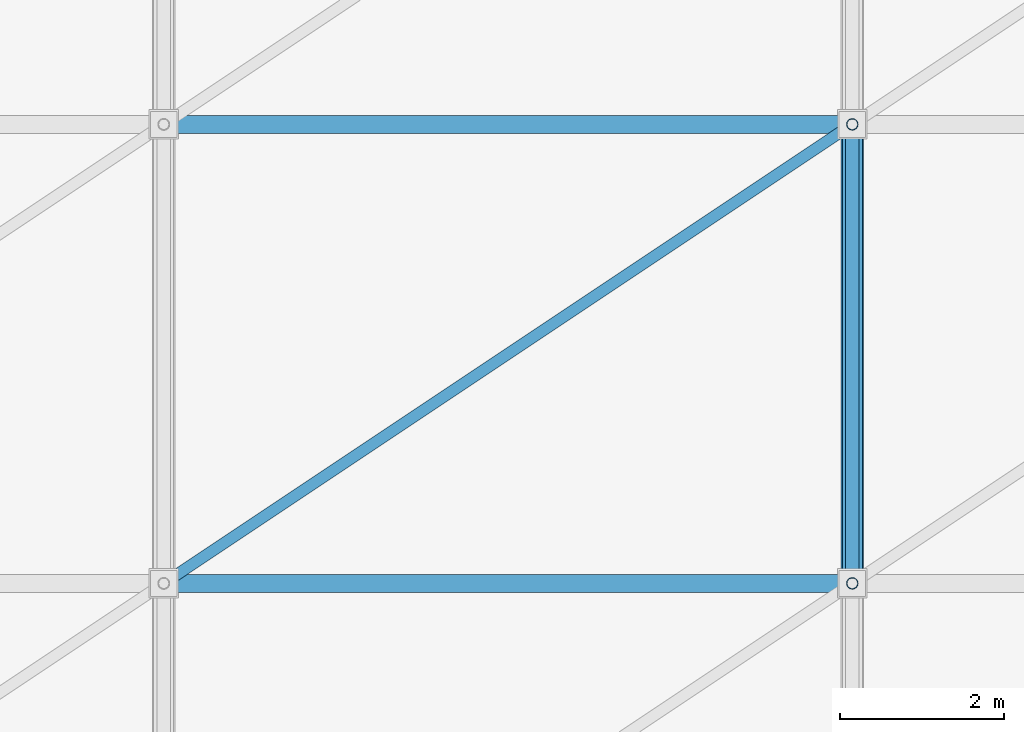
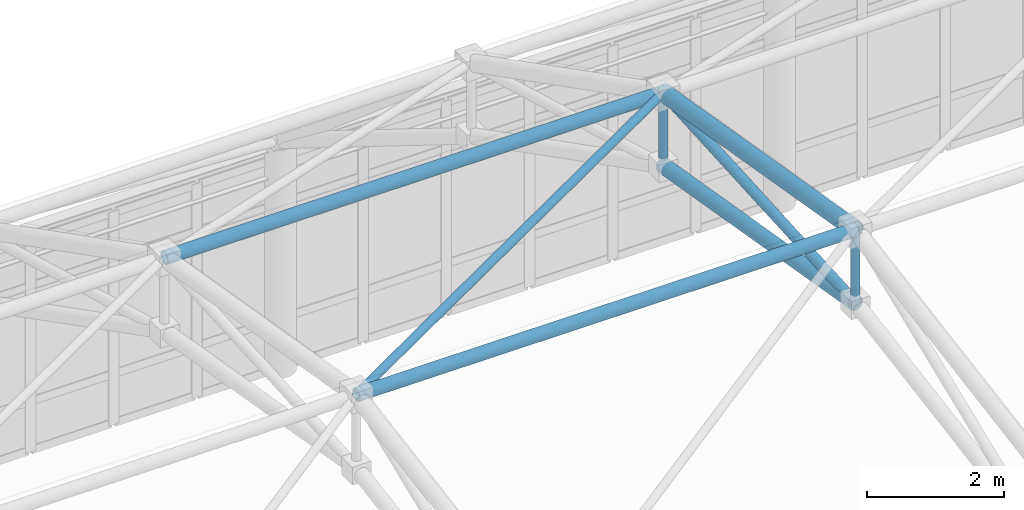
# One storey, part 76 of 184: 8 members.
"""IFC4 building model written with IfcOpenShell, lengths in metres."""

from ifc_helpers import new_model, si_unit, direction, frame, origin, origin_2d, place, context, subcontext, project, spatial, hollow_circle, extrude, material, material_profile, profile_set, type_object, element, save


model = new_model("IFC4")

# Units and contexts
model_context = context("Model", 3, precision=1e-05, world=origin(), true_north=direction((0.0, 1.0)))
body_context = subcontext(model_context, "Body", "Model", "MODEL_VIEW")
ifc_project = project(units=[si_unit("LENGTHUNIT", "METRE"), si_unit("AREAUNIT", "SQUARE_METRE"), si_unit("VOLUMEUNIT", "CUBIC_METRE"), si_unit("PLANEANGLEUNIT", "RADIAN"), si_unit("MASSUNIT", "GRAM", prefix="KILO")], contexts=[model_context])

# Site, building, storey
site_placement = place(None, origin())
site = spatial("IfcSite", under=ifc_project, at=site_placement, CompositionType="ELEMENT")
building_placement = place(site_placement, origin())
building = spatial("IfcBuilding", under=site, at=building_placement, Name="Qalvenar Corner Mobility Hub", CompositionType="ELEMENT")
storey_placement = place(building_placement, frame((0.0, 0.0, 9.0)))
storey = spatial("IfcBuildingStorey", under=building, at=storey_placement, Name="L02", CompositionType="ELEMENT", Elevation=9.0)

# Members
ifc_material = material(Name="Steel S355", Category="steel")
ifc_material_profile_1 = material_profile(ifc_material, hollow_circle(Radius=0.109619140625, WallThickness=0.008056640625, at=origin_2d()), Name="CHS219.1x8")
ifc_profile_set_1 = profile_set([ifc_material_profile_1], Name="Steel S355")
member_type_1 = type_object("IfcMemberType", Name="SF-CHD219", PredefinedType="CHORD", material=ifc_profile_set_1)
for number, where, z_axis, x_axis, name in (
    (1, (75.60009765625, 16.800048828125, 12.659912109375), (1.0, 0.0, 0.0), (0.0, 1.0, 0.0), "Space Frame Longitudinal Chord SFL-0204"),
    (2, (75.60009765625, 22.39990234375, 11.704345703125), (1.0, 0.0, 0.0), (0.0, 1.0, 0.0), "Space Frame Longitudinal Chord SFL-0205"),
):
    element("IfcMember", number, at=place(storey_placement, frame(where, z_axis=z_axis, x_axis=x_axis)), inside=storey, type_object=member_type_1, Name=name, PredefinedType="CHORD", context=body_context, shape_type="SweptSolid", body=[
        extrude(hollow_circle(Radius=0.109619140625, WallThickness=0.008056640625, at=origin_2d()), origin(), (0.0, 0.0, 1.0), 8.39990234375),
    ])
ifc_material_profile_2 = material_profile(ifc_material, hollow_circle(Radius=0.122314453125, WallThickness=0.0087890625, at=origin_2d()), Name="CHS244.5x8.8")
ifc_profile_set_2 = profile_set([ifc_material_profile_2], Name="Steel S355")
member_type_2 = type_object("IfcMemberType", Name="SF-CHD244", PredefinedType="CHORD", material=ifc_profile_set_2)
member_1_placement = place(storey_placement, frame((84.0, 16.800048828125, 11.360107421875), z_axis=(0.0, 0.985744075738, -0.168251648276), x_axis=(-1.0, 0.0, 0.0)))
element("IfcMember", 3, at=member_1_placement, inside=storey, type_object=member_type_2, Name="Space Frame Bottom Chord SFBC-0094", PredefinedType="CHORD", context=body_context, shape_type="SweptSolid", body=[
    extrude(hollow_circle(Radius=0.122314453125, WallThickness=0.0087890625, at=origin_2d()), origin(), (0.0, 0.0, 1.0), 5.680908203125),
])
ifc_material_profile_3 = material_profile(ifc_material, hollow_circle(Radius=0.136474609375, WallThickness=0.010009765625, at=origin_2d()), Name="CHS273x10")
ifc_profile_set_3 = profile_set([ifc_material_profile_3], Name="Steel S355")
member_type_3 = type_object("IfcMemberType", Name="SF-CHD273", PredefinedType="CHORD", material=ifc_profile_set_3)
member_2_placement = place(storey_placement, frame((84.0, 16.800048828125, 12.659912109375), z_axis=(0.0, 0.985751202632, -0.168209888264), x_axis=(-1.0, 0.0, 0.0)))
element("IfcMember", 4, at=member_2_placement, inside=storey, type_object=member_type_3, Name="Space Frame Top Chord SFTC-0093", PredefinedType="CHORD", context=body_context, shape_type="SweptSolid", body=[
    extrude(hollow_circle(Radius=0.136474609375, WallThickness=0.010009765625, at=origin_2d()), origin(), (0.0, 0.0, 1.0), 5.680908203125),
])
ifc_material_profile_4 = material_profile(ifc_material, hollow_circle(Radius=0.06982421875, WallThickness=0.0048828125, at=origin_2d()), Name="CHS139.7x5")
ifc_profile_set_4 = profile_set([ifc_material_profile_4], Name="Steel S355")
member_type_4 = type_object("IfcMemberType", Name="SF-STR139", PredefinedType="STRUT", material=ifc_profile_set_4)
member_3_placement = place(storey_placement, frame((84.0, 16.800048828125, 11.360107421875), z_axis=(0.0, 0.0, 1.0), x_axis=(1.0, 0.0, 0.0)))
element("IfcMember", 5, at=member_3_placement, inside=storey, type_object=member_type_4, Name="Space Frame King Strut SFV-0103", PredefinedType="STRUT", context=body_context, shape_type="SweptSolid", body=[
    extrude(hollow_circle(Radius=0.06982421875, WallThickness=0.0048828125, at=origin_2d()), origin(), (0.0, 0.0, 1.0), 1.2998046875),
])
member_4_placement = place(storey_placement, frame((84.0, 22.39990234375, 10.404296875), z_axis=(0.0, 0.0, 1.0), x_axis=(1.0, 0.0, 0.0)))
element("IfcMember", 6, at=member_4_placement, inside=storey, type_object=member_type_4, Name="Space Frame King Strut SFV-0104", PredefinedType="STRUT", context=body_context, shape_type="SweptSolid", body=[
    extrude(hollow_circle(Radius=0.06982421875, WallThickness=0.0048828125, at=origin_2d()), origin(), (0.0, 0.0, 1.0), 1.300048828125),
])
member_5_placement = place(storey_placement, frame((75.60009765625, 16.800048828125, 12.659912109375), z_axis=(0.828351545185, 0.552226338194, -0.094232632327), x_axis=(-0.554694615428, 0.832054014842, 0.0)))
element("IfcMember", 7, at=member_5_placement, inside=storey, type_object=member_type_4, Name="Space Frame Plan Strut SFP-0210", PredefinedType="STRUT", context=body_context, shape_type="SweptSolid", body=[
    extrude(hollow_circle(Radius=0.06982421875, WallThickness=0.0048828125, at=origin_2d()), origin(), (0.0, 0.0, 1.0), 10.140625),
])
ifc_material_profile_5 = material_profile(ifc_material, hollow_circle(Radius=0.084228515625, WallThickness=0.00634765625, at=origin_2d()), Name="CHS168.3x6.3")
ifc_profile_set_5 = profile_set([ifc_material_profile_5], Name="Steel S355")
member_type_5 = type_object("IfcMemberType", Name="SF-STR168", PredefinedType="STRUT", material=ifc_profile_set_5)
member_6_placement = place(storey_placement, frame((84.0, 16.800048828125, 11.360107421875), z_axis=(0.0, 0.998115889969, 0.061356908264), x_axis=(-1.0, 0.0, 0.0)))
element("IfcMember", 8, at=member_6_placement, inside=storey, type_object=member_type_5, Name="Space Frame Web Strut SFD-0095", PredefinedType="STRUT", context=body_context, shape_type="SweptSolid", body=[
    extrude(hollow_circle(Radius=0.084228515625, WallThickness=0.00634765625, at=origin_2d()), origin(), (0.0, 0.0, 1.0), 5.6103515625),
])

save(model, "model.ifc")
